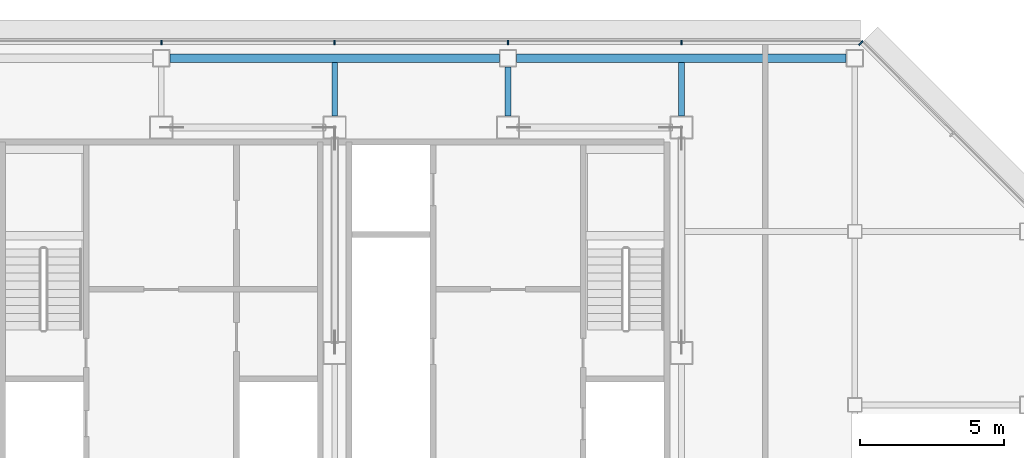
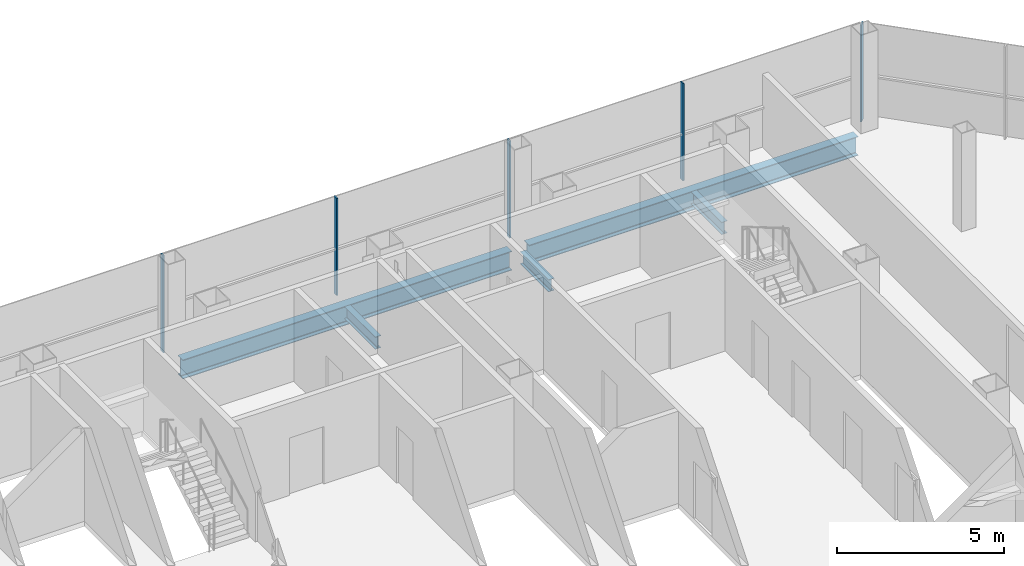
# One storey, part 16 of 28: 5 beams, 5 members, 2 elements without a shape of their own.
"""IFC4 building model written with IfcOpenShell, lengths in metres."""

from ifc_helpers import new_model, si_unit, direction, frame, origin, origin_2d, place, context, subcontext, project, spatial, rectangle, i_section, extrude, material, material_profile, profile_set, type_object, element, aggregate, save


model = new_model("IFC4")

# Units and contexts
model_context = context("Model", 3, precision=1e-05, world=origin(), true_north=direction((0.0, 1.0)))
body_context = subcontext(model_context, "Body", "Model", "MODEL_VIEW")
ifc_project = project(units=[si_unit("LENGTHUNIT", "METRE"), si_unit("AREAUNIT", "SQUARE_METRE"), si_unit("VOLUMEUNIT", "CUBIC_METRE"), si_unit("PLANEANGLEUNIT", "RADIAN"), si_unit("MASSUNIT", "GRAM", prefix="KILO")], contexts=[model_context])

# Site, building, storey
site_placement = place(None, origin())
site = spatial("IfcSite", under=ifc_project, at=site_placement, CompositionType="ELEMENT")
building_placement = place(site_placement, origin())
building = spatial("IfcBuilding", under=site, at=building_placement, Name="Sorahane Residences", CompositionType="ELEMENT")
storey_placement = place(building_placement, frame((0.0, 0.0, 254.0)))
storey = spatial("IfcBuildingStorey", under=building, at=storey_placement, Name="L60", CompositionType="ELEMENT", Elevation=254.0)

# Curtain wall, members
ifc_material_1 = material(Name="Dark low-e glass and black anodised aluminium", Category="aluminium")
curtain_wall_type_1 = type_object("IfcCurtainWallType", Name="Curtain wall CW-1 Typical unitised wall", PredefinedType="NOTDEFINED", material=ifc_material_1)
curtain_wall_1_placement = place(storey_placement, origin())
curtain_wall_1 = element("IfcCurtainWall", 1, at=curtain_wall_1_placement, inside=storey, type_object=curtain_wall_type_1, Name="CW-1 curtain wall L60 N1", PredefinedType="NOTDEFINED")
ifc_material_2 = material(Name="Black anodised aluminium", Category="aluminium")
ifc_material_profile_1 = material_profile(ifc_material_2, rectangle(XDim=0.159912109375, YDim=0.050048828125, at=origin_2d()), Name="Curtain wall mullion CW-1 black anodised aluminium 50x160")
ifc_profile_set_1 = profile_set([ifc_material_profile_1], Name="Black anodised aluminium")
member_type_1 = type_object("IfcMemberType", Name="Curtain wall mullion CW-1 black anodised aluminium 50x160", PredefinedType="MULLION", material=ifc_profile_set_1)
member_1_placement = place(storey_placement, frame((42.0, 48.5400390625, -0.179931640625), z_axis=(0.0, 0.0, 1.0), x_axis=(0.0, 1.0, 0.0)))
member_1 = element("IfcMember", 2, at=member_1_placement, type_object=member_type_1, Name="CW-1 mullion L60 N1.2", PredefinedType="MULLION", context=body_context, shape_type="SweptSolid", body=[
    extrude(rectangle(XDim=0.159912109375, YDim=0.050048828125, at=origin_2d()), origin(), (0.0, 0.0, 1.0), 3.559814453125),
])
member_2_placement = place(storey_placement, frame((36.0, 48.5400390625, -0.179931640625), z_axis=(0.0, 0.0, 1.0), x_axis=(0.0, 1.0, 0.0)))
member_2 = element("IfcMember", 3, at=member_2_placement, type_object=member_type_1, Name="CW-1 mullion L60 N1.3", PredefinedType="MULLION", context=body_context, shape_type="SweptSolid", body=[
    extrude(rectangle(XDim=0.159912109375, YDim=0.050048828125, at=origin_2d()), origin(), (0.0, 0.0, 1.0), 3.559814453125),
])
member_3_placement = place(storey_placement, frame((30.0, 48.5400390625, -0.179931640625), z_axis=(0.0, 0.0, 1.0), x_axis=(0.0, 1.0, 0.0)))
member_3 = element("IfcMember", 4, at=member_3_placement, type_object=member_type_1, Name="CW-1 mullion L60 N1.4", PredefinedType="MULLION", context=body_context, shape_type="SweptSolid", body=[
    extrude(rectangle(XDim=0.159912109375, YDim=0.050048828125, at=origin_2d()), origin(), (0.0, 0.0, 1.0), 3.559814453125),
])
member_4_placement = place(storey_placement, frame((24.0, 48.5400390625, -0.179931640625), z_axis=(0.0, 0.0, 1.0), x_axis=(0.0, 1.0, 0.0)))
member_4 = element("IfcMember", 5, at=member_4_placement, type_object=member_type_1, Name="CW-1 mullion L60 N1.5", PredefinedType="MULLION", context=body_context, shape_type="SweptSolid", body=[
    extrude(rectangle(XDim=0.159912109375, YDim=0.050048828125, at=origin_2d()), origin(), (0.0, 0.0, 1.0), 3.559814453125),
])
aggregate(curtain_wall_1, [member_1, member_2, member_3, member_4])

# Curtain wall, member
ifc_material_3 = material(Name="Dark low-e glass and black anodised aluminium", Category="aluminium")
curtain_wall_type_2 = type_object("IfcCurtainWallType", Name="Curtain wall CW-2 Chamfer unitised wall", PredefinedType="NOTDEFINED", material=ifc_material_3)
curtain_wall_2_placement = place(storey_placement, origin())
curtain_wall_2 = element("IfcCurtainWall", 6, at=curtain_wall_2_placement, inside=storey, type_object=curtain_wall_type_2, Name="CW-2 curtain wall L60 NE1", PredefinedType="NOTDEFINED")
ifc_material_4 = material(Name="Black anodised aluminium", Category="aluminium")
ifc_material_profile_2 = material_profile(ifc_material_4, rectangle(XDim=0.199951171875, YDim=0.050048828125, at=origin_2d()), Name="Curtain wall mullion CW-2 black anodised aluminium 50x200")
ifc_profile_set_2 = profile_set([ifc_material_profile_2], Name="Black anodised aluminium")
member_type_2 = type_object("IfcMemberType", Name="Curtain wall mullion CW-2 black anodised aluminium 50x200", PredefinedType="MULLION", material=ifc_profile_set_2)
member_5_placement = place(storey_placement, frame((48.209716796875, 48.525634765625, -0.179931640625), z_axis=(0.0, 0.0, 1.0), x_axis=(0.707106781187, 0.707106781187, 0.0)))
member_5 = element("IfcMember", 7, at=member_5_placement, type_object=member_type_2, Name="CW-2 mullion L60 NE1.3", PredefinedType="MULLION", context=body_context, shape_type="SweptSolid", body=[
    extrude(rectangle(XDim=0.199951171875, YDim=0.050048828125, at=origin_2d()), origin(), (0.0, 0.0, 1.0), 3.559814453125),
])
aggregate(curtain_wall_2, [member_5])

# Beams
ifc_material_5 = material(Name="Steel Q355B", Category="steel")
ifc_material_profile_3 = material_profile(ifc_material_5, i_section(OverallWidth=0.199951171875, OverallDepth=0.449951171875, WebThickness=0.009033203125, FlangeThickness=0.013916015625, FilletRadius=0.02001953125, at=origin_2d()), Name="HN 450x200x9x14")
ifc_profile_set_3 = profile_set([ifc_material_profile_3], Name="Steel Q355B")
beam_type_1 = type_object("IfcBeamType", Name="Steel floor beam HN 450x200x9x14 Q355B", PredefinedType="BEAM", material=ifc_profile_set_3)
beam_1_placement = place(storey_placement, frame((30.0, 46.0, -0.405029296875), z_axis=(0.0, 1.0, 0.0), x_axis=(-1.0, 0.0, 0.0)))
element("IfcBeam", 8, at=beam_1_placement, inside=storey, type_object=beam_type_1, Name="Beam L60 049", PredefinedType="BEAM", context=body_context, shape_type="SweptSolid", body=[
    extrude(i_section(OverallWidth=0.199951171875, OverallDepth=0.449951171875, WebThickness=0.009033203125, FlangeThickness=0.013916015625, FilletRadius=0.02001953125, at=origin_2d()), origin(), (0.0, 0.0, 1.0), 1.85009765625),
])
beam_2_placement = place(storey_placement, frame((36.0, 46.0, -0.405029296875), z_axis=(0.0, 1.0, 0.0), x_axis=(-1.0, 0.0, 0.0)))
element("IfcBeam", 9, at=beam_2_placement, inside=storey, type_object=beam_type_1, Name="Beam L60 051", PredefinedType="BEAM", context=body_context, shape_type="SweptSolid", body=[
    extrude(i_section(OverallWidth=0.199951171875, OverallDepth=0.449951171875, WebThickness=0.009033203125, FlangeThickness=0.013916015625, FilletRadius=0.02001953125, at=origin_2d()), origin(), (0.0, 0.0, 1.0), 1.699951171875),
])
beam_3_placement = place(storey_placement, frame((42.0, 46.0, -0.405029296875), z_axis=(0.0, 1.0, 0.0), x_axis=(-1.0, 0.0, 0.0)))
element("IfcBeam", 10, at=beam_3_placement, inside=storey, type_object=beam_type_1, Name="Beam L60 057", PredefinedType="BEAM", context=body_context, shape_type="SweptSolid", body=[
    extrude(i_section(OverallWidth=0.199951171875, OverallDepth=0.449951171875, WebThickness=0.009033203125, FlangeThickness=0.013916015625, FilletRadius=0.02001953125, at=origin_2d()), origin(), (0.0, 0.0, 1.0), 1.85009765625),
])
ifc_material_6 = material(Name="Steel Q355B", Category="steel")
ifc_material_profile_4 = material_profile(ifc_material_6, i_section(OverallWidth=0.300048828125, OverallDepth=0.699951171875, WebThickness=0.012939453125, FlangeThickness=0.02392578125, FilletRadius=0.028076171875, at=origin_2d()), Name="HN 700x300x13x24")
ifc_profile_set_4 = profile_set([ifc_material_profile_4], Name="Steel Q355B")
beam_type_2 = type_object("IfcBeamType", Name="Steel floor beam HN 700x300x13x24 Q355B", PredefinedType="BEAM", material=ifc_profile_set_4)
for number, where, z_axis, x_axis, name in (
    (11, (24.300048828125, 48.0, -0.530029296875), (1.0, 0.0, 0.0), (0.0, 1.0, 0.0), "Beam L60 018"),
    (12, (36.300048828125, 48.0, -0.530029296875), (1.0, 0.0, 0.0), (0.0, 1.0, 0.0), "Beam L60 019"),
):
    element("IfcBeam", number, at=place(storey_placement, frame(where, z_axis=z_axis, x_axis=x_axis)), inside=storey, type_object=beam_type_2, Name=name, PredefinedType="BEAM", context=body_context, shape_type="SweptSolid", body=[
        extrude(i_section(OverallWidth=0.300048828125, OverallDepth=0.699951171875, WebThickness=0.012939453125, FlangeThickness=0.02392578125, FilletRadius=0.028076171875, at=origin_2d()), origin(), (0.0, 0.0, 1.0), 11.39990234375),
    ])

save(model, "model.ifc")
